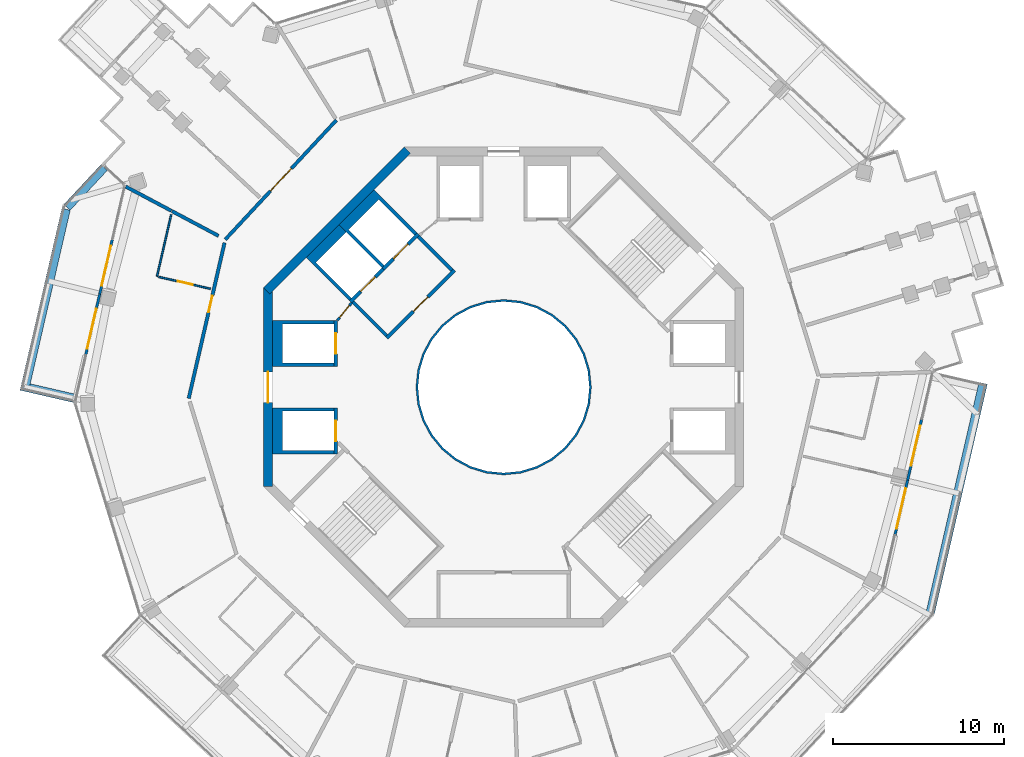
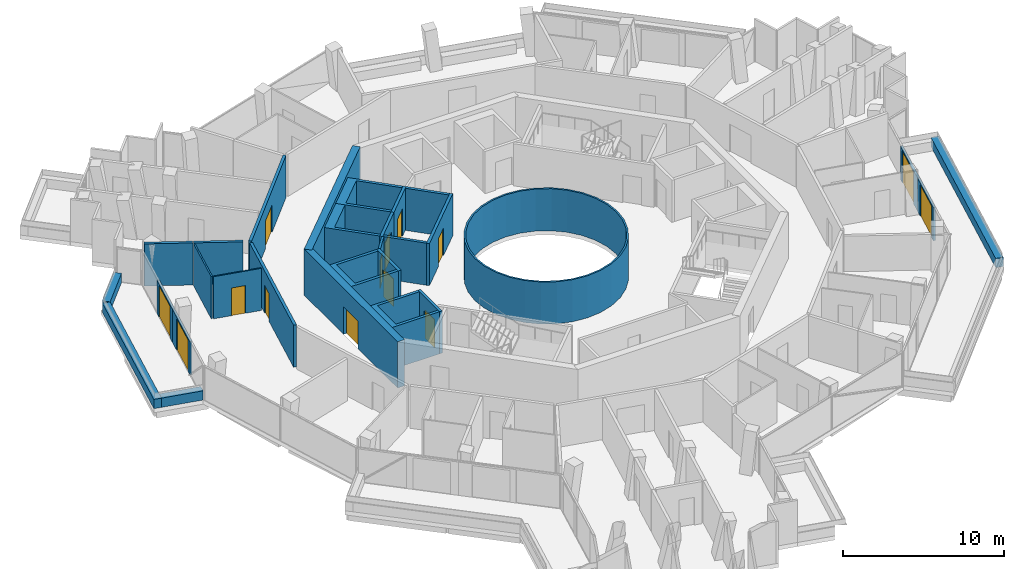
# One storey, part 16 of 21: 29 walls, 14 doors, 14 openings.
"""IFC4 building model written with IfcOpenShell, lengths in metres."""

import ifcopenshell
import ifcopenshell.guid

model = None  # the IFC model being written
_history = None  # IfcOwnerHistory: only IFC2X3 demands one
_inside = {}  # id of a spatial element -> (the spatial element, [elements in it])
_under = {}  # id of a project, library or spatial element -> (it, [spatial elements below it])
_declared = {}  # id of a project -> (the project, [libraries it declares])
_typed = {}  # id of a type object -> (the type object, [elements of that type])
_made_of = {}  # id of a material, layer set ... -> (it, [elements and type objects made of it])


def new_model(schema):
    """Start an empty IFC model of exactly this schema.

    Asked for "IFC4X3", IfcOpenShell would pick the latest addendum, in which some entities
    have other attributes; the version numbers below select the first issue.
    IFC2X3 requires an IfcOwnerHistory on every rooted entity: one is made here for all.
    """
    global model, _history
    if schema == "IFC4X3":
        model = ifcopenshell.file(schema_version=(4, 3, 0, 0))
    else:
        model = ifcopenshell.file(schema=schema)
    _inside.clear()
    _under.clear()
    _declared.clear()
    _typed.clear()
    _made_of.clear()
    _history = None
    if model.schema == "IFC2X3":
        org = make("IfcOrganization", Name="unknown")
        user = make(
            "IfcPersonAndOrganization",
            ThePerson=make("IfcPerson", FamilyName="unknown"),
            TheOrganization=org,
        )
        app = make(
            "IfcApplication",
            ApplicationDeveloper=org,
            Version="unknown",
            ApplicationFullName="unknown",
            ApplicationIdentifier="unknown",
        )
        _history = make(
            "IfcOwnerHistory",
            OwningUser=user,
            OwningApplication=app,
            ChangeAction="ADDED",
            CreationDate=0,
        )
    return model


def make(cls, **values):
    """One entity of the class cls with the attributes given. An attribute that is None is left unset."""
    return model.create_entity(
        cls, **{name: value for name, value in values.items() if value is not None}
    )


def rooted(cls, **values):
    """An entity with a GlobalId (a new one), such as an element, a storey or a relation."""
    return make(cls, GlobalId=ifcopenshell.guid.new(), OwnerHistory=_history, **values)


def si_unit(unit_type, name, prefix=None):
    """IfcSIUnit, for example si_unit("LENGTHUNIT", "METRE", prefix="MILLI")."""
    return make("IfcSIUnit", UnitType=unit_type, Prefix=prefix, Name=name)


def assignment(units):
    """IfcUnitAssignment: the units of a project."""
    return None if units is None else make("IfcUnitAssignment", Units=units)


def point(xyz):
    """IfcCartesianPoint."""
    return None if xyz is None else make("IfcCartesianPoint", Coordinates=xyz)


def direction(xyz):
    """IfcDirection."""
    return None if xyz is None else make("IfcDirection", DirectionRatios=xyz)


def frame(location, z_axis=None, x_axis=None):
    """IfcAxis2Placement3D, a coordinate frame: its origin and axes. An axis left out is left unset."""
    return make(
        "IfcAxis2Placement3D",
        Location=point(location),
        Axis=direction(z_axis),
        RefDirection=direction(x_axis),
    )


def frame_2d(location, x_axis=None):
    """IfcAxis2Placement2D, a coordinate frame in the plane: its origin and x axis."""
    return make(
        "IfcAxis2Placement2D", Location=point(location), RefDirection=direction(x_axis)
    )


def origin():
    """The frame at (0, 0, 0) with its axes left unset."""
    return frame((0.0, 0.0, 0.0))


def place(relative_to, where):
    """IfcLocalPlacement: puts the frame where relative to a parent placement (None: the world)."""
    return make(
        "IfcLocalPlacement", PlacementRelTo=relative_to, RelativePlacement=where
    )


def context(
    kind, dimensions, precision=None, world=None, true_north=None, identifier=None
):
    """IfcGeometricRepresentationContext, for example the 3D "Model" context."""
    return make(
        "IfcGeometricRepresentationContext",
        ContextIdentifier=identifier,
        ContextType=kind,
        CoordinateSpaceDimension=dimensions,
        Precision=precision,
        WorldCoordinateSystem=world,
        TrueNorth=true_north,
    )


def subcontext(parent, identifier, kind, view, scale=None):
    """IfcGeometricRepresentationSubContext, for example "Body" below "Model"."""
    return make(
        "IfcGeometricRepresentationSubContext",
        ContextIdentifier=identifier,
        ContextType=kind,
        ParentContext=parent,
        TargetScale=scale,
        TargetView=view,
    )


def project(units=None, contexts=None):
    """IfcProject with its units and contexts."""
    return rooted(
        "IfcProject",
        Name="project",
        RepresentationContexts=contexts,
        UnitsInContext=assignment(units),
    )


def spatial(cls, under=None, at=None, **own):
    """A site, building, storey or space (cls), placed at a placement, below another one or the project."""
    s = rooted(cls, ObjectPlacement=at, **own)
    if under is not None:
        _under.setdefault(under.id(), (under, []))[1].append(s)
    return s


def polyline(points):
    """IfcPolyline through the points."""
    return make("IfcPolyline", Points=[point(p) for p in points])


def profile(cls, at=None, kind="AREA", **sizes):
    """A parametric profile (cls). Its sizes go by their IFC names, for example OverallWidth=200.0."""
    return make(cls, ProfileType=kind, Position=at, **sizes)


def rectangle(**sizes):
    """IfcRectangleProfileDef."""
    return profile("IfcRectangleProfileDef", **sizes)


def outline(outer, holes=None, kind="AREA"):
    """IfcArbitraryClosedProfileDef: a profile drawn as a closed curve; with holes, ...WithVoids."""
    if holes is None:
        return make("IfcArbitraryClosedProfileDef", ProfileType=kind, OuterCurve=outer)
    return make(
        "IfcArbitraryProfileDefWithVoids",
        ProfileType=kind,
        OuterCurve=outer,
        InnerCurves=holes,
    )


def extrude(swept, where, along, depth):
    """IfcExtrudedAreaSolid: the profile swept, set in the frame where, extruded along a direction by depth."""
    return make(
        "IfcExtrudedAreaSolid",
        SweptArea=swept,
        Position=where,
        ExtrudedDirection=direction(along),
        Depth=depth,
    )


def shape(context_of_items, identifier, shape_type, items):
    """IfcShapeRepresentation: the items that make up one representation, for example the "Body"."""
    return make(
        "IfcShapeRepresentation",
        ContextOfItems=context_of_items,
        RepresentationIdentifier=identifier,
        RepresentationType=shape_type,
        Items=items,
    )


def material(Name=None, Category=None):
    """IfcMaterial."""
    return make("IfcMaterial", Name=Name, Category=Category)


def layer(
    of_material, thickness, ventilated=None, Name=None, Category=None, Priority=None
):
    """IfcMaterialLayer: one layer of a wall or slab, of a material (None: an air gap)."""
    return make(
        "IfcMaterialLayer",
        Material=of_material,
        LayerThickness=thickness,
        IsVentilated=ventilated,
        Name=Name,
        Category=Category,
        Priority=Priority,
    )


def layer_set(layers, Name=None):
    """IfcMaterialLayerSet."""
    return make("IfcMaterialLayerSet", MaterialLayers=layers, LayerSetName=Name)


def made_of(thing, what):
    """Note that an element or type object is made of a material, layer set ...; save() writes the relation."""
    if what is not None:
        _made_of.setdefault(what.id(), (what, []))[1].append(thing)
    return thing


def type_object(cls, material=None, **own):
    """A type object (cls), such as IfcWallType, which elements share."""
    return made_of(rooted(cls, **own), material)


def element(
    cls,
    number,
    at=None,
    inside=None,
    cuts=None,
    type_object=None,
    material=None,
    context=None,
    identifier="Body",
    shape_type=None,
    held_by="IfcProductDefinitionShape",
    body=None,
    shapes=None,
    **own,
):
    """One element of the class cls, such as IfcWall. Its Tag is "e" and its number.

    at: its placement. inside: the storey or other place that contains it. cuts: it is an
    opening in that element (IfcRelVoidsElement). A single representation is given by context,
    identifier, shape_type and body (its items); several are given by shapes. held_by: the class
    of the entity that holds the representations. save() writes the other relations.
    """
    e = rooted(cls, Tag="e%d" % number, ObjectPlacement=at, **own)
    if body is not None:
        shapes = [shape(context, identifier, shape_type, body)]
    if shapes is not None:
        e.Representation = make(held_by, Representations=shapes)
    if inside is not None:
        _inside.setdefault(inside.id(), (inside, []))[1].append(e)
    if cuts is not None:
        rooted(
            "IfcRelVoidsElement", RelatingBuildingElement=cuts, RelatedOpeningElement=e
        )
    if type_object is not None:
        _typed.setdefault(type_object.id(), (type_object, []))[1].append(e)
    return made_of(e, material)


def fill(opening, filler):
    """IfcRelFillsElement: the door or window that sits in an opening."""
    return rooted(
        "IfcRelFillsElement",
        RelatingOpeningElement=opening,
        RelatedBuildingElement=filler,
    )


def aggregate(whole, parts):
    """IfcRelAggregates: a whole, such as a stair, and the parts it consists of."""
    return rooted("IfcRelAggregates", RelatingObject=whole, RelatedObjects=parts)


def save(model, path):
    """Write the relations noted so far, then the file.

    IfcRelAggregates (storeys below a building ...), IfcRelContainedInSpatialStructure (elements
    in a storey), IfcRelDefinesByType, IfcRelAssociatesMaterial and IfcRelDeclares: one each for
    every whole, place, type object, material and project.
    """
    for whole, parts in _under.values():
        aggregate(whole, parts)
    for where, things in _inside.values():
        rooted(
            "IfcRelContainedInSpatialStructure",
            RelatedElements=things,
            RelatingStructure=where,
        )
    for kind, things in _typed.values():
        rooted("IfcRelDefinesByType", RelatedObjects=things, RelatingType=kind)
    for what, things in _made_of.values():
        rooted("IfcRelAssociatesMaterial", RelatedObjects=things, RelatingMaterial=what)
    for by, libraries in _declared.values():
        rooted("IfcRelDeclares", RelatingContext=by, RelatedDefinitions=libraries)
    model.write(path)


model = new_model("IFC4")

# Units and contexts
model_context = context("Model", 3, precision=1e-05, world=origin(), true_north=direction((0.0, 1.0)))
body_context = subcontext(model_context, "Body", "Model", "MODEL_VIEW")
ifc_project = project(units=[si_unit("LENGTHUNIT", "METRE"), si_unit("AREAUNIT", "SQUARE_METRE"), si_unit("VOLUMEUNIT", "CUBIC_METRE"), si_unit("PLANEANGLEUNIT", "RADIAN"), si_unit("MASSUNIT", "GRAM", prefix="KILO")], contexts=[model_context])

# Site, building, storey
site_placement = place(None, origin())
site = spatial("IfcSite", under=ifc_project, at=site_placement, CompositionType="ELEMENT")
building_placement = place(site_placement, origin())
building = spatial("IfcBuilding", under=site, at=building_placement, Name="Verdalira Terraces Hotel", CompositionType="ELEMENT")
storey_placement = place(building_placement, frame((0.0, 0.0, 227.0)))
storey = spatial("IfcBuildingStorey", under=building, at=storey_placement, Name="L55", CompositionType="ELEMENT", Elevation=227.0)

# Walls
ifc_material_1 = material(Name="Fire-resisting glass EI 180", Category="glass")
ifc_layer_1 = layer(ifc_material_1, 0.1201171875)
ifc_layer_set_1 = layer_set([ifc_layer_1], Name="Atrium fire screen 120 mm")
wall_type_1 = type_object("IfcWallType", Name="Atrium fire screen 120 mm", PredefinedType="SOLIDWALL", material=ifc_layer_set_1)
wall_1_placement = place(storey_placement, origin())
element("IfcWall", 1, at=wall_1_placement, inside=storey, type_object=wall_type_1, Name="Atrium fire screen", PredefinedType="SOLIDWALL", context=body_context, shape_type="SweptSolid", body=[
    extrude(outline(polyline([(5.021484, -0.998779), (4.730225, -1.959229), (4.25708, -2.844482), (3.620361, -3.620361), (2.844482, -4.25708), (1.959229, -4.730225), (0.998779, -5.021484), (0.0, -5.120117), (-0.998779, -5.021484), (-1.959229, -4.730225), (-2.844482, -4.25708), (-3.620361, -3.620361), (-4.25708, -2.844482), (-4.730225, -1.959229), (-5.021484, -0.998779), (-5.120117, 0.0), (-5.021484, 0.998779), (-4.730225, 1.959229), (-4.25708, 2.844482), (-3.620361, 3.620361), (-2.844482, 4.25708), (-1.959229, 4.730225), (-0.998779, 5.021484), (0.0, 5.120117), (0.998779, 5.021484), (1.959229, 4.730225), (2.844482, 4.25708), (3.620361, 3.620361), (4.25708, 2.844482), (4.730225, 1.959229), (5.021484, 0.998779), (5.120117, 0.0), (5.021484, -0.998779)]), holes=[polyline([(4.903809, 0.975586), (4.619385, 1.91333), (4.157227, 2.777832), (3.5354, 3.5354), (2.777832, 4.157227), (1.91333, 4.619385), (0.975586, 4.903809), (0.0, 5.0), (-0.975586, 4.903809), (-1.91333, 4.619385), (-2.777832, 4.157227), (-3.5354, 3.5354), (-4.157227, 2.777832), (-4.619385, 1.91333), (-4.903809, 0.975586), (-5.0, 0.0), (-4.903809, -0.975586), (-4.619385, -1.91333), (-4.157227, -2.777832), (-3.5354, -3.5354), (-2.777832, -4.157227), (-1.91333, -4.619385), (-0.975586, -4.903809), (0.0, -5.0), (0.975586, -4.903809), (1.91333, -4.619385), (2.777832, -4.157227), (3.5354, -3.5354), (4.157227, -2.777832), (4.619385, -1.91333), (4.903809, -0.975586), (5.0, 0.0), (4.903809, 0.975586)])]), origin(), (0.0, 0.0, 1.0), 3.189941),
])
ifc_material_2 = material(Name="Concrete C40", Category="concrete")
ifc_layer_2 = layer(ifc_material_2, 0.5)
ifc_layer_set_2 = layer_set([ifc_layer_2], Name="Balcony planter trough with tree")
wall_type_2 = type_object("IfcWallType", Name="Balcony planter trough with tree", PredefinedType="SOLIDWALL", material=ifc_layer_set_2)
wall_2_placement = place(storey_placement, frame((-23.305664, 12.819092, 0.0), z_axis=(0.0, 0.0, 1.0), x_axis=(-0.681520764, -0.731798776, 0.0)))
element("IfcWall", 2, at=wall_2_placement, inside=storey, type_object=wall_type_2, Name="Balcony planter", PredefinedType="SOLIDWALL", context=body_context, shape_type="SweptSolid", body=[
    extrude(rectangle(XDim=3.175781, YDim=0.5, at=frame_2d((1.587891, 0.0))), origin(), (0.0, 0.0, 1.0), 0.699951),
])
wall_3_placement = place(storey_placement, frame((-25.530518, 10.380615, 0.0), z_axis=(0.0, 0.0, 1.0), x_axis=(-0.224268414, -0.974527413, 0.0)))
element("IfcWall", 3, at=wall_3_placement, inside=storey, type_object=wall_type_2, Name="Balcony planter", PredefinedType="SOLIDWALL", context=body_context, shape_type="SweptSolid", body=[
    extrude(rectangle(XDim=10.890381, YDim=0.5, at=frame_2d((5.445312, 0.0))), origin(), (0.0, 0.0, 1.0), 0.699951),
])
wall_4_placement = place(storey_placement, frame((-27.67334, -0.044922, 0.0), z_axis=(0.0, 0.0, 1.0), x_axis=(0.974535819, -0.224231882, 0.0)))
element("IfcWall", 4, at=wall_4_placement, inside=storey, type_object=wall_type_2, Name="Balcony planter", PredefinedType="SOLIDWALL", context=body_context, shape_type="SweptSolid", body=[
    extrude(rectangle(XDim=2.699219, YDim=0.5, at=frame_2d((1.349609, 0.0))), origin(), (0.0, 0.0, 1.0), 0.699951),
])
wall_5_placement = place(storey_placement, frame((24.895264, -13.141602, 0.0), z_axis=(0.0, 0.0, 1.0), x_axis=(0.224259206, 0.974529532, 0.0)))
element("IfcWall", 5, at=wall_5_placement, inside=storey, type_object=wall_type_2, Name="Balcony planter", PredefinedType="SOLIDWALL", context=body_context, shape_type="SweptSolid", body=[
    extrude(rectangle(XDim=13.723633, YDim=0.5, at=frame_2d((6.861816, 0.0))), origin(), (0.0, 0.0, 1.0), 0.699951),
])
ifc_material_3 = material(Name="Moisture-resistant gypsum board partition")
ifc_layer_3 = layer(ifc_material_3, 0.10009765625)
ifc_layer_set_3 = layer_set([ifc_layer_3], Name="Bathroom partition 100 mm")
wall_type_3 = type_object("IfcWallType", Name="Bathroom partition 100 mm", PredefinedType="PARTITIONING", material=ifc_layer_set_3)
wall_6_placement = place(storey_placement, frame((-20.225098, 6.45874, 0.0), z_axis=(0.0, 0.0, 1.0), x_axis=(0.224301063, 0.974519899, 0.0)))
element("IfcWall", 6, at=wall_6_placement, inside=storey, type_object=wall_type_3, Name="Bathroom partition", PredefinedType="PARTITIONING", context=body_context, shape_type="SweptSolid", body=[
    extrude(rectangle(XDim=3.704102, YDim=0.100098, at=frame_2d((1.852051, 0.0))), origin(), (0.0, 0.0, 1.0), 3.189941),
])

# Wall, opening, door
wall_7_placement = place(storey_placement, frame((-20.127686, 6.436279, 0.0), z_axis=(0.0, 0.0, 1.0), x_axis=(0.974542283, -0.224203788, 0.0)))
wall_7 = element("IfcWall", 7, at=wall_7_placement, inside=storey, type_object=wall_type_3, Name="Bathroom partition", PredefinedType="PARTITIONING", context=body_context, shape_type="SweptSolid", body=[
    extrude(rectangle(XDim=3.100098, YDim=0.100098, at=frame_2d((1.550049, 0.0))), origin(), (0.0, 0.0, 1.0), 3.189941),
])
opening_1_placement = place(wall_7_placement, frame((1.149902, 0.0, 0.0)))
opening_1 = element("IfcOpeningElement", 8, at=opening_1_placement, cuts=wall_7, Name="Opening L55-105", PredefinedType="OPENING", context=body_context, shape_type="SweptSolid", body=[
    extrude(rectangle(XDim=0.899902, YDim=2.100098, at=frame_2d((0.449951, 1.050049))), frame((0.0, 0.060059, 0.0), z_axis=(0.0, -1.0, 0.0), x_axis=(1.0, 0.0, 0.0)), (0.0, 0.0, 1.0), 0.120117),
])
ifc_material_4 = material(Name="Timber door", Category="wood")
door_type_1 = type_object("IfcDoorType", Name="Bathroom door 900 x 2100", OperationType="NOTDEFINED", PredefinedType="DOOR", material=ifc_material_4)
door_1_placement = place(opening_1_placement, origin())
door_1 = element("IfcDoor", 9, at=door_1_placement, inside=storey, type_object=door_type_1, Name="Bathroom door 5502", OperationType="SINGLE_SWING_LEFT", OverallHeight=2.10009765625, OverallWidth=0.89990234375, PredefinedType="DOOR", context=body_context, shape_type="SweptSolid", body=[
    extrude(rectangle(XDim=0.899902, YDim=2.100098, at=frame_2d((0.449951, 1.050049))), frame((0.0, 0.024902, 0.0), z_axis=(0.0, -1.0, 0.0), x_axis=(1.0, 0.0, 0.0)), (0.0, 0.0, 1.0), 0.050049),
])
fill(opening_1, door_1)

# Wall
ifc_material_5 = material(Name="Concrete C50", Category="concrete")
ifc_layer_4 = layer(ifc_material_5, 0.199951171875)
ifc_layer_set_4 = layer_set([ifc_layer_4], Name="Core RC wall 200 C50")
wall_type_4 = type_object("IfcWallType", Name="Core RC wall 200 C50", PredefinedType="SOLIDWALL", material=ifc_layer_set_4)
wall_8_placement = place(storey_placement, origin())
element("IfcWall", 10, at=wall_8_placement, inside=storey, type_object=wall_type_4, Name="L55 shaft wall W1", PredefinedType="SOLIDWALL", context=body_context, shape_type="SweptSolid", body=[
    extrude(outline(polyline([(-13.5, 3.899902), (-9.899902, 3.899902), (-9.899902, 3.699951), (-12.899902, 3.699951), (-12.899902, 1.399902), (-9.899902, 1.399902), (-9.899902, 1.199951), (-13.5, 1.199951), (-13.5, 3.899902)])), origin(), (0.0, 0.0, 1.0), 3.189941),
])

# Wall, opening, door
wall_9_placement = place(storey_placement, frame((-9.800049, 1.199951, 0.0), z_axis=(0.0, 0.0, 1.0), x_axis=(0.0, 1.0, 0.0)))
wall_9 = element("IfcWall", 11, at=wall_9_placement, inside=storey, type_object=wall_type_4, Name="L55 shaft front wall W1", PredefinedType="SOLIDWALL", context=body_context, shape_type="SweptSolid", body=[
    extrude(rectangle(XDim=2.699951, YDim=0.199951, at=frame_2d((1.350098, 0.0))), origin(), (0.0, 0.0, 1.0), 3.189941),
])
opening_2_placement = place(wall_9_placement, frame((0.75, 0.0, 0.0)))
opening_2 = element("IfcOpeningElement", 12, at=opening_2_placement, cuts=wall_9, Name="Opening LD-L55-806", PredefinedType="OPENING", context=body_context, shape_type="SweptSolid", body=[
    extrude(rectangle(XDim=1.199951, YDim=2.100098, at=frame_2d((0.600098, 1.050049))), frame((0.0, 0.109863, 0.0), z_axis=(0.0, -1.0, 0.0), x_axis=(1.0, 0.0, 0.0)), (0.0, 0.0, 1.0), 0.219971),
])
ifc_material_6 = material(Name="Stainless steel", Category="steel")
door_type_2 = type_object("IfcDoorType", Name="Landing door 1200 x 2100", OperationType="NOTDEFINED", PredefinedType="DOOR", material=ifc_material_6)
door_2_placement = place(opening_2_placement, origin())
door_2 = element("IfcDoor", 13, at=door_2_placement, inside=storey, type_object=door_type_2, Name="Lift landing door HR5 L55", OperationType="DOUBLE_DOOR_SLIDING", OverallHeight=2.10009765625, OverallWidth=1.199951171875, PredefinedType="DOOR", context=body_context, shape_type="SweptSolid", body=[
    extrude(rectangle(XDim=1.199951, YDim=2.100098, at=frame_2d((0.600098, 1.050049))), frame((0.0, 0.024902, 0.0), z_axis=(0.0, -1.0, 0.0), x_axis=(1.0, 0.0, 0.0)), (0.0, 0.0, 1.0), 0.050049),
])
fill(opening_2, door_2)

# Wall
wall_10_placement = place(storey_placement, origin())
element("IfcWall", 14, at=wall_10_placement, inside=storey, type_object=wall_type_4, Name="L55 shaft wall W2", PredefinedType="SOLIDWALL", context=body_context, shape_type="SweptSolid", body=[
    extrude(outline(polyline([(-13.5, -3.899902), (-13.5, -1.199951), (-9.899902, -1.199951), (-9.899902, -1.399902), (-12.899902, -1.399902), (-12.899902, -3.699951), (-9.899902, -3.699951), (-9.899902, -3.899902), (-13.5, -3.899902)])), origin(), (0.0, 0.0, 1.0), 3.189941),
])

# Wall, opening, door
wall_11_placement = place(storey_placement, frame((-9.800049, -1.199951, 0.0), z_axis=(0.0, 0.0, 1.0), x_axis=(0.0, -1.0, 0.0)))
wall_11 = element("IfcWall", 15, at=wall_11_placement, inside=storey, type_object=wall_type_4, Name="L55 shaft front wall W2", PredefinedType="SOLIDWALL", context=body_context, shape_type="SweptSolid", body=[
    extrude(rectangle(XDim=2.699951, YDim=0.199951, at=frame_2d((1.350098, 0.0))), origin(), (0.0, 0.0, 1.0), 3.189941),
])
opening_3_placement = place(wall_11_placement, frame((0.75, 0.0, 0.0)))
opening_3 = element("IfcOpeningElement", 16, at=opening_3_placement, cuts=wall_11, Name="Opening LD-L55-807", PredefinedType="OPENING", context=body_context, shape_type="SweptSolid", body=[
    extrude(rectangle(XDim=1.199951, YDim=2.100098, at=frame_2d((0.600098, 1.050049))), frame((0.0, 0.109863, 0.0), z_axis=(0.0, -1.0, 0.0), x_axis=(1.0, 0.0, 0.0)), (0.0, 0.0, 1.0), 0.219971),
])
door_3_placement = place(opening_3_placement, origin())
door_3 = element("IfcDoor", 17, at=door_3_placement, inside=storey, type_object=door_type_2, Name="Lift landing door HR6 L55", OperationType="DOUBLE_DOOR_SLIDING", OverallHeight=2.10009765625, OverallWidth=1.199951171875, PredefinedType="DOOR", context=body_context, shape_type="SweptSolid", body=[
    extrude(rectangle(XDim=1.199951, YDim=2.100098, at=frame_2d((0.600098, 1.050049))), frame((0.0, 0.024902, 0.0), z_axis=(0.0, -1.0, 0.0), x_axis=(1.0, 0.0, 0.0)), (0.0, 0.0, 1.0), 0.050049),
])
fill(opening_3, door_3)

# Wall
wall_12_placement = place(storey_placement, origin())
element("IfcWall", 18, at=wall_12_placement, inside=storey, type_object=wall_type_4, Name="L55 shaft wall F1", PredefinedType="SOLIDWALL", context=body_context, shape_type="SweptSolid", body=[
    extrude(outline(polyline([(-9.616699, 9.475098), (-7.565918, 11.525879), (-5.055908, 9.015625), (-5.197266, 8.874268), (-7.283203, 10.960205), (-9.051025, 9.192383), (-6.965088, 7.106445), (-7.106445, 6.965088), (-9.616699, 9.475098)])), origin(), (0.0, 0.0, 1.0), 3.189941),
])

# Wall, opening, door
wall_13_placement = place(storey_placement, frame((-4.985107, 8.944824, 0.0), z_axis=(0.0, 0.0, 1.0), x_axis=(-0.707106781, -0.707106781, 0.0)))
wall_13 = element("IfcWall", 19, at=wall_13_placement, inside=storey, type_object=wall_type_4, Name="L55 shaft front wall F1", PredefinedType="SOLIDWALL", context=body_context, shape_type="SweptSolid", body=[
    extrude(rectangle(XDim=2.899902, YDim=0.199951, at=frame_2d((1.449951, 0.0))), origin(), (0.0, 0.0, 1.0), 3.189941),
])
opening_4_placement = place(wall_13_placement, frame((0.850098, 0.0, 0.0)))
opening_4 = element("IfcOpeningElement", 20, at=opening_4_placement, cuts=wall_13, Name="Opening LD-L55-808", PredefinedType="OPENING", context=body_context, shape_type="SweptSolid", body=[
    extrude(rectangle(XDim=1.199951, YDim=2.100098, at=frame_2d((0.600098, 1.050049))), frame((0.0, 0.109863, 0.0), z_axis=(0.0, -1.0, 0.0), x_axis=(1.0, 0.0, 0.0)), (0.0, 0.0, 1.0), 0.219971),
])
door_4_placement = place(opening_4_placement, origin())
door_4 = element("IfcDoor", 21, at=door_4_placement, inside=storey, type_object=door_type_2, Name="Lift landing door LF11 L55", OperationType="DOUBLE_DOOR_SLIDING", OverallHeight=2.10009765625, OverallWidth=1.199951171875, PredefinedType="DOOR", context=body_context, shape_type="SweptSolid", body=[
    extrude(rectangle(XDim=1.199951, YDim=2.100098, at=frame_2d((0.600098, 1.050049))), frame((0.0, 0.024902, 0.0), z_axis=(0.0, -1.0, 0.0), x_axis=(1.0, 0.0, 0.0)), (0.0, 0.0, 1.0), 0.050049),
])
fill(opening_4, door_4)

# Wall
wall_14_placement = place(storey_placement, origin())
element("IfcWall", 22, at=wall_14_placement, inside=storey, type_object=wall_type_4, Name="L55 shaft wall F2", PredefinedType="SOLIDWALL", context=body_context, shape_type="SweptSolid", body=[
    extrude(outline(polyline([(-11.525879, 7.565918), (-9.616699, 9.475098), (-9.192383, 9.051025), (-10.960205, 7.283203), (-8.874268, 5.197266), (-9.015625, 5.055908), (-11.525879, 7.565918)])), origin(), (0.0, 0.0, 1.0), 3.189941),
])

# Wall, opening, door
wall_15_placement = place(storey_placement, frame((-7.035645, 6.894287, 0.0), z_axis=(0.0, 0.0, 1.0), x_axis=(-0.707106781, -0.707106781, 0.0)))
wall_15 = element("IfcWall", 23, at=wall_15_placement, inside=storey, type_object=wall_type_4, Name="L55 shaft front wall F2", PredefinedType="SOLIDWALL", context=body_context, shape_type="SweptSolid", body=[
    extrude(rectangle(XDim=2.699951, YDim=0.199951, at=frame_2d((1.350098, 0.0))), origin(), (0.0, 0.0, 1.0), 3.189941),
])
opening_5_placement = place(wall_15_placement, frame((0.649902, 0.0, 0.0)))
opening_5 = element("IfcOpeningElement", 24, at=opening_5_placement, cuts=wall_15, Name="Opening LD-L55-809", PredefinedType="OPENING", context=body_context, shape_type="SweptSolid", body=[
    extrude(rectangle(XDim=1.199951, YDim=2.100098, at=frame_2d((0.600098, 1.050049))), frame((0.0, 0.109863, 0.0), z_axis=(0.0, -1.0, 0.0), x_axis=(1.0, 0.0, 0.0)), (0.0, 0.0, 1.0), 0.219971),
])
door_5_placement = place(opening_5_placement, origin())
door_5 = element("IfcDoor", 25, at=door_5_placement, inside=storey, type_object=door_type_2, Name="Lift landing door LF12 L55", OperationType="DOUBLE_DOOR_SLIDING", OverallHeight=2.10009765625, OverallWidth=1.199951171875, PredefinedType="DOOR", context=body_context, shape_type="SweptSolid", body=[
    extrude(rectangle(XDim=1.199951, YDim=2.100098, at=frame_2d((0.600098, 1.050049))), frame((0.0, 0.024902, 0.0), z_axis=(0.0, -1.0, 0.0), x_axis=(1.0, 0.0, 0.0)), (0.0, 0.0, 1.0), 0.050049),
])
fill(opening_5, door_5)

wall_16_placement = place(storey_placement, frame((-2.86377, 6.823486, 0.0), z_axis=(0.0, 0.0, 1.0), x_axis=(-0.707106781, -0.707106781, 0.0)))
wall_16 = element("IfcWall", 26, at=wall_16_placement, inside=storey, type_object=wall_type_4, Name="L55 fire lobby wall", PredefinedType="SOLIDWALL", context=body_context, shape_type="SweptSolid", body=[
    extrude(rectangle(XDim=5.599854, YDim=0.199951, at=frame_2d((2.799805, 0.0))), origin(), (0.0, 0.0, 1.0), 3.189941),
])
opening_6_placement = place(wall_16_placement, frame((2.199951, 0.0, 0.0)))
opening_6 = element("IfcOpeningElement", 27, at=opening_6_placement, cuts=wall_16, Name="Opening L55-819", PredefinedType="OPENING", context=body_context, shape_type="SweptSolid", body=[
    extrude(rectangle(XDim=1.199951, YDim=2.100098, at=frame_2d((0.600098, 1.050049))), frame((0.0, 0.109863, 0.0), z_axis=(0.0, -1.0, 0.0), x_axis=(1.0, 0.0, 0.0)), (0.0, 0.0, 1.0), 0.219971),
])
ifc_material_7 = material(Name="Steel fire door", Category="steel")
door_type_3 = type_object("IfcDoorType", Name="Lobby door 1200 x 2100", OperationType="NOTDEFINED", PredefinedType="DOOR", material=ifc_material_7)
door_6_placement = place(opening_6_placement, origin())
door_6 = element("IfcDoor", 28, at=door_6_placement, inside=storey, type_object=door_type_3, Name="Fire lobby door L55", OperationType="SINGLE_SWING_LEFT", OverallHeight=2.10009765625, OverallWidth=1.199951171875, PredefinedType="DOOR", context=body_context, shape_type="SweptSolid", body=[
    extrude(rectangle(XDim=1.199951, YDim=2.100098, at=frame_2d((0.600098, 1.050049))), frame((0.0, 0.024902, 0.0), z_axis=(0.0, -1.0, 0.0), x_axis=(1.0, 0.0, 0.0)), (0.0, 0.0, 1.0), 0.050049),
])
fill(opening_6, door_6)

# Walls
for number, where, z_axis, x_axis, name in (
    (29, (-3.005127, 6.823486, 0.0), (0.0, 0.0, 1.0), (-0.707106781, 0.707106781, 0.0), "L55 fire lobby wall"),
    (30, (-6.823486, 3.005127, 0.0), (0.0, 0.0, 1.0), (-0.707106781, 0.707106781, 0.0), "L55 fire lobby wall"),
):
    element("IfcWall", number, at=place(storey_placement, frame(where, z_axis=z_axis, x_axis=x_axis)), inside=storey, type_object=wall_type_4, Name=name, PredefinedType="SOLIDWALL", context=body_context, shape_type="SweptSolid", body=[
        extrude(rectangle(XDim=2.800049, YDim=0.199951, at=frame_2d((1.399902, 0.0))), origin(), (0.0, 0.0, 1.0), 3.189941),
    ])

# Wall, opening, door
ifc_material_8 = material(Name="Gypsum board partition")
ifc_layer_5 = layer(ifc_material_8, 0.14990234375)
ifc_layer_set_5 = layer_set([ifc_layer_5], Name="Core partition 150 mm")
wall_type_5 = type_object("IfcWallType", Name="Core partition 150 mm", PredefinedType="PARTITIONING", material=ifc_layer_set_5)
wall_17_placement = place(storey_placement, frame((-8.874268, 4.914307, 0.0), z_axis=(0.0, 0.0, 1.0), x_axis=(-0.631274009, -0.775559878, 0.0)))
wall_17 = element("IfcWall", 31, at=wall_17_placement, inside=storey, type_object=wall_type_5, Name="Room partition L55", PredefinedType="PARTITIONING", context=body_context, shape_type="SweptSolid", body=[
    extrude(rectangle(XDim=1.307861, YDim=0.149902, at=frame_2d((0.653809, 0.0))), origin(), (0.0, 0.0, 1.0), 3.189941),
])
opening_7_placement = place(wall_17_placement, frame((0.204102, 0.0, 0.0)))
opening_7 = element("IfcOpeningElement", 32, at=opening_7_placement, cuts=wall_17, Name="Opening L55-821", PredefinedType="OPENING", context=body_context, shape_type="SweptSolid", body=[
    extrude(rectangle(XDim=0.899902, YDim=2.100098, at=frame_2d((0.449951, 1.050049))), frame((0.0, 0.084961, 0.0), z_axis=(0.0, -1.0, 0.0), x_axis=(1.0, 0.0, 0.0)), (0.0, 0.0, 1.0), 0.169922),
])
ifc_material_9 = material(Name="Steel fire door", Category="steel")
door_type_4 = type_object("IfcDoorType", Name="Core room door 900 x 2100", OperationType="NOTDEFINED", PredefinedType="DOOR", material=ifc_material_9)
door_7_placement = place(opening_7_placement, origin())
door_7 = element("IfcDoor", 33, at=door_7_placement, inside=storey, type_object=door_type_4, Name="Door L55 room3", OperationType="SINGLE_SWING_LEFT", OverallHeight=2.10009765625, OverallWidth=0.89990234375, PredefinedType="DOOR", context=body_context, shape_type="SweptSolid", body=[
    extrude(rectangle(XDim=0.899902, YDim=2.100098, at=frame_2d((0.449951, 1.050049))), frame((0.0, 0.024902, 0.0), z_axis=(0.0, -1.0, 0.0), x_axis=(1.0, 0.0, 0.0)), (0.0, 0.0, 1.0), 0.050049),
])
fill(opening_7, door_7)

# Wall
ifc_material_10 = material(Name="Concrete C50", Category="concrete")
ifc_layer_6 = layer(ifc_material_10, 0.5)
ifc_layer_set_6 = layer_set([ifc_layer_6], Name="Core wall 500 C50")
wall_type_6 = type_object("IfcWallType", Name="Core wall 500 C50", PredefinedType="SHEAR", material=ifc_layer_set_6)
wall_18_placement = place(storey_placement, frame((-5.622314, 13.823242, 0.0), z_axis=(0.0, 0.0, 1.0), x_axis=(-0.707106781, -0.707106781, 0.0)))
element("IfcWall", 34, at=wall_18_placement, inside=storey, type_object=wall_type_6, Name="Core wall CW-L55-4", PredefinedType="SHEAR", context=body_context, shape_type="SweptSolid", body=[
    extrude(rectangle(XDim=11.5979, YDim=0.5, at=frame_2d((5.798828, 0.0))), origin(), (0.0, 0.0, 1.0), 3.5),
])

# Wall, opening, door
wall_19_placement = place(storey_placement, frame((-13.75, 5.799072, 0.0), z_axis=(0.0, 0.0, 1.0), x_axis=(0.0, -1.0, 0.0)))
wall_19 = element("IfcWall", 35, at=wall_19_placement, inside=storey, type_object=wall_type_6, Name="Core wall CW-L55-5", PredefinedType="SHEAR", context=body_context, shape_type="SweptSolid", body=[
    extrude(rectangle(XDim=11.598145, YDim=0.5, at=frame_2d((5.799072, 0.0))), origin(), (0.0, 0.0, 1.0), 3.5),
])
opening_8_placement = place(wall_19_placement, frame((4.898926, 0.0, 0.0)))
opening_8 = element("IfcOpeningElement", 36, at=opening_8_placement, cuts=wall_19, Name="Opening L55-815", PredefinedType="OPENING", context=body_context, shape_type="SweptSolid", body=[
    extrude(rectangle(XDim=1.800049, YDim=2.100098, at=frame_2d((0.899902, 1.050049))), frame((0.0, 0.26001, 0.0), z_axis=(0.0, -1.0, 0.0), x_axis=(1.0, 0.0, 0.0)), (0.0, 0.0, 1.0), 0.52002),
])
ifc_material_11 = material(Name="Steel fire door", Category="steel")
door_type_5 = type_object("IfcDoorType", Name="Core entry door pair 1800 x 2100", OperationType="NOTDEFINED", PredefinedType="DOOR", material=ifc_material_11)
door_8_placement = place(opening_8_placement, origin())
door_8 = element("IfcDoor", 37, at=door_8_placement, inside=storey, type_object=door_type_5, Name="Core entry door L55 4", OperationType="DOUBLE_DOOR_SINGLE_SWING", OverallHeight=2.10009765625, OverallWidth=1.800048828125, PredefinedType="DOOR", context=body_context, shape_type="SweptSolid", body=[
    extrude(rectangle(XDim=1.800049, YDim=2.100098, at=frame_2d((0.899902, 1.050049))), frame((0.0, 0.024902, 0.0), z_axis=(0.0, -1.0, 0.0), x_axis=(1.0, 0.0, 0.0)), (0.0, 0.0, 1.0), 0.050049),
])
fill(opening_8, door_8)

# Walls
ifc_material_12 = material(Name="Fire-rated gypsum board wall")
ifc_layer_7 = layer(ifc_material_12, 0.199951171875)
ifc_layer_set_7 = layer_set([ifc_layer_7], Name="Demising wall 200 mm")
wall_type_7 = type_object("IfcWallType", Name="Demising wall 200 mm", PredefinedType="SOLIDWALL", material=ifc_layer_set_7)
wall_20_placement = place(storey_placement, frame((-19.390137, 10.29248, 0.0), z_axis=(0.0, 0.0, 1.0), x_axis=(-0.883248988, 0.468904281, 0.0)))
element("IfcWall", 38, at=wall_20_placement, inside=storey, type_object=wall_type_7, Name="Demising wall", PredefinedType="SOLIDWALL", context=body_context, shape_type="SweptSolid", body=[
    extrude(rectangle(XDim=3.011475, YDim=0.199951, at=frame_2d((1.505859, 0.0))), origin(), (0.0, 0.0, 1.0), 3.189941),
])
wall_21_placement = place(storey_placement, frame((-16.633789, 8.82959, 0.0), z_axis=(0.0, 0.0, 1.0), x_axis=(-0.883300707, 0.468806848, 0.0)))
element("IfcWall", 39, at=wall_21_placement, inside=storey, type_object=wall_type_7, Name="Demising wall", PredefinedType="SOLIDWALL", context=body_context, shape_type="SweptSolid", body=[
    extrude(rectangle(XDim=3.074707, YDim=0.199951, at=frame_2d((1.537354, 0.0))), origin(), (0.0, 0.0, 1.0), 3.189941),
])

# Wall, opening, door
ifc_material_13 = material(Name="Fire-rated gypsum board wall")
ifc_layer_8 = layer(ifc_material_13, 0.199951171875)
ifc_layer_set_8 = layer_set([ifc_layer_8], Name="Guest corridor wall 200 mm")
wall_type_8 = type_object("IfcWallType", Name="Guest corridor wall 200 mm", PredefinedType="SOLIDWALL", material=ifc_layer_set_8)
wall_22_placement = place(storey_placement, frame((-18.373047, -0.653809, 0.0), z_axis=(0.0, 0.0, 1.0), x_axis=(0.224277617, 0.974525295, 0.0)))
wall_22 = element("IfcWall", 40, at=wall_22_placement, inside=storey, type_object=wall_type_8, Name="Guest corridor wall", PredefinedType="SOLIDWALL", context=body_context, shape_type="SweptSolid", body=[
    extrude(rectangle(XDim=9.315918, YDim=0.199951, at=frame_2d((4.657959, 0.0))), origin(), (0.0, 0.0, 1.0), 3.189941),
])
opening_9_placement = place(wall_22_placement, frame((5.149902, 0.0, 0.0)))
opening_9 = element("IfcOpeningElement", 41, at=opening_9_placement, cuts=wall_22, Name="Opening L55-104", PredefinedType="OPENING", context=body_context, shape_type="SweptSolid", body=[
    extrude(rectangle(XDim=1.0, YDim=2.100098, at=frame_2d((0.5, 1.050049))), frame((0.0, 0.109863, 0.0), z_axis=(0.0, -1.0, 0.0), x_axis=(1.0, 0.0, 0.0)), (0.0, 0.0, 1.0), 0.219971),
])
ifc_material_14 = material(Name="Timber fire door", Category="wood")
door_type_6 = type_object("IfcDoorType", Name="Guest entry door 1000 x 2100", OperationType="NOTDEFINED", PredefinedType="DOOR", material=ifc_material_14)
door_9_placement = place(opening_9_placement, origin())
door_9 = element("IfcDoor", 42, at=door_9_placement, inside=storey, type_object=door_type_6, Name="Guest entry door 5502", OperationType="SINGLE_SWING_LEFT", OverallHeight=2.10009765625, OverallWidth=1.0, PredefinedType="DOOR", context=body_context, shape_type="SweptSolid", body=[
    extrude(rectangle(XDim=1.0, YDim=2.100098, at=frame_2d((0.5, 1.050049))), frame((0.0, 0.024902, 0.0), z_axis=(0.0, -1.0, 0.0), x_axis=(1.0, 0.0, 0.0)), (0.0, 0.0, 1.0), 0.050049),
])
fill(opening_9, door_9)

wall_23_placement = place(storey_placement, frame((-16.23877, 8.619873, 0.0), z_axis=(0.0, 0.0, 1.0), x_axis=(0.681478707, 0.731837941, 0.0)))
wall_23 = element("IfcWall", 43, at=wall_23_placement, inside=storey, type_object=wall_type_8, Name="Guest corridor wall", PredefinedType="SOLIDWALL", context=body_context, shape_type="SweptSolid", body=[
    extrude(rectangle(XDim=9.516602, YDim=0.199951, at=frame_2d((4.758301, 0.0))), origin(), (0.0, 0.0, 1.0), 3.189941),
])
opening_10_placement = place(wall_23_placement, frame((3.864502, 0.0, 0.0)))
opening_10 = element("IfcOpeningElement", 44, at=opening_10_placement, cuts=wall_23, Name="Opening L55-101", PredefinedType="OPENING", context=body_context, shape_type="SweptSolid", body=[
    extrude(rectangle(XDim=1.800049, YDim=2.100098, at=frame_2d((0.899902, 1.050049))), frame((0.0, 0.109863, 0.0), z_axis=(0.0, -1.0, 0.0), x_axis=(1.0, 0.0, 0.0)), (0.0, 0.0, 1.0), 0.219971),
])
ifc_material_15 = material(Name="Timber fire door", Category="wood")
door_type_7 = type_object("IfcDoorType", Name="Public room double door 1800 x 2100", OperationType="NOTDEFINED", PredefinedType="DOOR", material=ifc_material_15)
door_10_placement = place(opening_10_placement, origin())
door_10 = element("IfcDoor", 45, at=door_10_placement, inside=storey, type_object=door_type_7, Name="Public room double door 5501", OperationType="DOUBLE_DOOR_SINGLE_SWING", OverallHeight=2.10009765625, OverallWidth=1.800048828125, PredefinedType="DOOR", context=body_context, shape_type="SweptSolid", body=[
    extrude(rectangle(XDim=1.800049, YDim=2.100098, at=frame_2d((0.899902, 1.050049))), frame((0.0, 0.024902, 0.0), z_axis=(0.0, -1.0, 0.0), x_axis=(1.0, 0.0, 0.0)), (0.0, 0.0, 1.0), 0.050049),
])
fill(opening_10, door_10)

ifc_material_16 = material(Name="Terracotta cladding", Category="masonry")
ifc_layer_9 = layer(ifc_material_16, 0.14990234375)
ifc_layer_set_9 = layer_set([ifc_layer_9], Name="Terracotta door pier 150")
wall_type_9 = type_object("IfcWallType", Name="Terracotta door pier 150", PredefinedType="SOLIDWALL", material=ifc_layer_set_9)
wall_24_placement = place(storey_placement, frame((-22.827148, 8.639648, 0.0), z_axis=(0.0, 0.0, 1.0), x_axis=(-0.224302968, -0.97451946, 0.0)))
wall_24 = element("IfcWall", 46, at=wall_24_placement, inside=storey, type_object=wall_type_9, Name="Terracotta door pier", PredefinedType="SOLIDWALL", context=body_context, shape_type="SweptSolid", body=[
    extrude(rectangle(XDim=3.300049, YDim=0.149902, at=frame_2d((1.649902, 0.0))), origin(), (0.0, 0.0, 1.0), 2.524902),
])
opening_11_placement = place(wall_24_placement, frame((0.399902, 0.0, 0.0)))
opening_11 = element("IfcOpeningElement", 47, at=opening_11_placement, cuts=wall_24, Name="Opening L55-B02", PredefinedType="OPENING", context=body_context, shape_type="SweptSolid", body=[
    extrude(rectangle(XDim=2.399902, YDim=2.399902, at=frame_2d((1.199951, 1.199951))), frame((0.0, 0.084961, 0.0), z_axis=(0.0, -1.0, 0.0), x_axis=(1.0, 0.0, 0.0)), (0.0, 0.0, 1.0), 0.169922),
])
ifc_material_17 = material(Name="Clear glass", Category="glass")
door_type_8 = type_object("IfcDoorType", Name="Balcony sliding door 2400x2400", OperationType="NOTDEFINED", PredefinedType="DOOR", material=ifc_material_17)
door_11_placement = place(opening_11_placement, origin())
door_11 = element("IfcDoor", 48, at=door_11_placement, inside=storey, type_object=door_type_8, Name="Balcony sliding door", OperationType="SLIDING_TO_RIGHT", OverallHeight=2.39990234375, OverallWidth=2.39990234375, PredefinedType="DOOR", context=body_context, shape_type="SweptSolid", body=[
    extrude(rectangle(XDim=2.399902, YDim=2.399902, at=frame_2d((1.199951, 1.199951))), frame((0.0, 0.024902, 0.0), z_axis=(0.0, -1.0, 0.0), x_axis=(1.0, 0.0, 0.0)), (0.0, 0.0, 1.0), 0.050049),
])
fill(opening_11, door_11)

wall_25_placement = place(storey_placement, frame((-23.567383, 5.423584, 0.0), z_axis=(0.0, 0.0, 1.0), x_axis=(-0.224260426, -0.974529251, 0.0)))
wall_25 = element("IfcWall", 49, at=wall_25_placement, inside=storey, type_object=wall_type_9, Name="Terracotta door pier", PredefinedType="SOLIDWALL", context=body_context, shape_type="SweptSolid", body=[
    extrude(rectangle(XDim=3.661133, YDim=0.149902, at=frame_2d((1.830566, 0.0))), origin(), (0.0, 0.0, 1.0), 2.524902),
])
opening_12_placement = place(wall_25_placement, frame((0.861328, 0.0, 0.0)))
opening_12 = element("IfcOpeningElement", 50, at=opening_12_placement, cuts=wall_25, Name="Opening L55-B03", PredefinedType="OPENING", context=body_context, shape_type="SweptSolid", body=[
    extrude(rectangle(XDim=2.399902, YDim=2.399902, at=frame_2d((1.199951, 1.199951))), frame((0.0, 0.084961, 0.0), z_axis=(0.0, -1.0, 0.0), x_axis=(1.0, 0.0, 0.0)), (0.0, 0.0, 1.0), 0.169922),
])
door_12_placement = place(opening_12_placement, origin())
door_12 = element("IfcDoor", 51, at=door_12_placement, inside=storey, type_object=door_type_8, Name="Balcony sliding door", OperationType="SLIDING_TO_LEFT", OverallHeight=2.39990234375, OverallWidth=2.39990234375, PredefinedType="DOOR", context=body_context, shape_type="SweptSolid", body=[
    extrude(rectangle(XDim=2.399902, YDim=2.399902, at=frame_2d((1.199951, 1.199951))), frame((0.0, 0.024902, 0.0), z_axis=(0.0, -1.0, 0.0), x_axis=(1.0, 0.0, 0.0)), (0.0, 0.0, 1.0), 0.050049),
])
fill(opening_12, door_12)

wall_26_placement = place(storey_placement, frame((22.827148, -8.639648, 0.0), z_axis=(0.0, 0.0, 1.0), x_axis=(0.224302968, 0.97451946, 0.0)))
wall_26 = element("IfcWall", 52, at=wall_26_placement, inside=storey, type_object=wall_type_9, Name="Terracotta door pier", PredefinedType="SOLIDWALL", context=body_context, shape_type="SweptSolid", body=[
    extrude(rectangle(XDim=3.300049, YDim=0.149902, at=frame_2d((1.649902, 0.0))), origin(), (0.0, 0.0, 1.0), 2.524902),
])
opening_13_placement = place(wall_26_placement, frame((0.399902, 0.0, 0.0)))
opening_13 = element("IfcOpeningElement", 53, at=opening_13_placement, cuts=wall_26, Name="Opening L55-B10", PredefinedType="OPENING", context=body_context, shape_type="SweptSolid", body=[
    extrude(rectangle(XDim=2.399902, YDim=2.399902, at=frame_2d((1.199951, 1.199951))), frame((0.0, 0.084961, 0.0), z_axis=(0.0, -1.0, 0.0), x_axis=(1.0, 0.0, 0.0)), (0.0, 0.0, 1.0), 0.169922),
])
door_13_placement = place(opening_13_placement, origin())
door_13 = element("IfcDoor", 54, at=door_13_placement, inside=storey, type_object=door_type_8, Name="Balcony sliding door", OperationType="SLIDING_TO_RIGHT", OverallHeight=2.39990234375, OverallWidth=2.39990234375, PredefinedType="DOOR", context=body_context, shape_type="SweptSolid", body=[
    extrude(rectangle(XDim=2.399902, YDim=2.399902, at=frame_2d((1.199951, 1.199951))), frame((0.0, 0.024902, 0.0), z_axis=(0.0, -1.0, 0.0), x_axis=(1.0, 0.0, 0.0)), (0.0, 0.0, 1.0), 0.050049),
])
fill(opening_13, door_13)

wall_27_placement = place(storey_placement, frame((23.567383, -5.423584, 0.0), z_axis=(0.0, 0.0, 1.0), x_axis=(0.224260426, 0.974529251, 0.0)))
wall_27 = element("IfcWall", 55, at=wall_27_placement, inside=storey, type_object=wall_type_9, Name="Terracotta door pier", PredefinedType="SOLIDWALL", context=body_context, shape_type="SweptSolid", body=[
    extrude(rectangle(XDim=3.661133, YDim=0.149902, at=frame_2d((1.830566, 0.0))), origin(), (0.0, 0.0, 1.0), 2.524902),
])
opening_14_placement = place(wall_27_placement, frame((0.861328, 0.0, 0.0)))
opening_14 = element("IfcOpeningElement", 56, at=opening_14_placement, cuts=wall_27, Name="Opening L55-B11", PredefinedType="OPENING", context=body_context, shape_type="SweptSolid", body=[
    extrude(rectangle(XDim=2.399902, YDim=2.399902, at=frame_2d((1.199951, 1.199951))), frame((0.0, 0.084961, 0.0), z_axis=(0.0, -1.0, 0.0), x_axis=(1.0, 0.0, 0.0)), (0.0, 0.0, 1.0), 0.169922),
])
door_14_placement = place(opening_14_placement, origin())
door_14 = element("IfcDoor", 57, at=door_14_placement, inside=storey, type_object=door_type_8, Name="Balcony sliding door", OperationType="SLIDING_TO_LEFT", OverallHeight=2.39990234375, OverallWidth=2.39990234375, PredefinedType="DOOR", context=body_context, shape_type="SweptSolid", body=[
    extrude(rectangle(XDim=2.399902, YDim=2.399902, at=frame_2d((1.199951, 1.199951))), frame((0.0, 0.024902, 0.0), z_axis=(0.0, -1.0, 0.0), x_axis=(1.0, 0.0, 0.0)), (0.0, 0.0, 1.0), 0.050049),
])
fill(opening_14, door_14)

save(model, "model.ifc")
